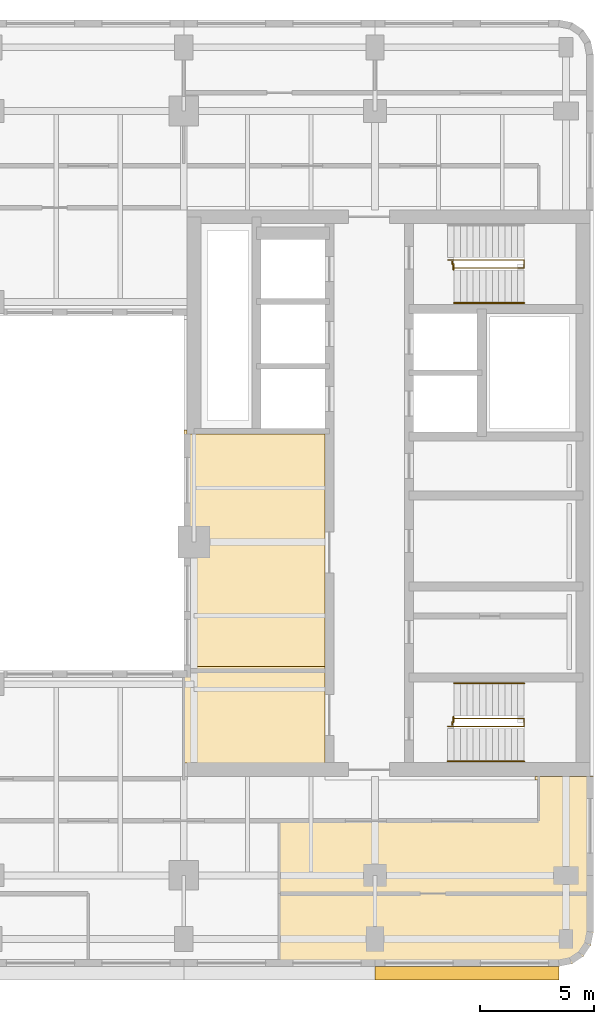
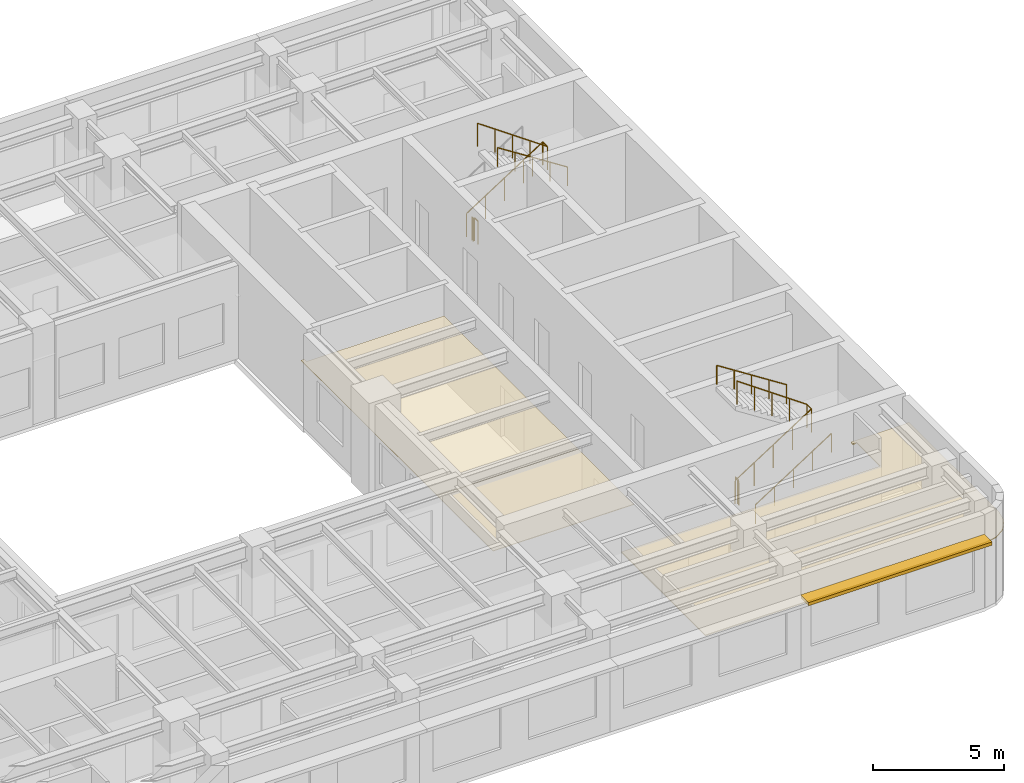
# One storey, part 10 of 11: 7 railings, 4 coverings, 1 shading device.
"""IFC4 building model written with IfcOpenShell, lengths in metres."""

from ifc_helpers import new_model, si_unit, direction, frame, origin, origin_2d, place, context, subcontext, project, spatial, polyline, rectangle, circle, outline, extrude, material, layer, layer_set, type_object, element, save


model = new_model("IFC4")

# Units and contexts
model_context = context("Model", 3, precision=1e-05, world=origin(), true_north=direction((0.0, 1.0)))
body_context = subcontext(model_context, "Body", "Model", "MODEL_VIEW")
ifc_project = project(units=[si_unit("LENGTHUNIT", "METRE"), si_unit("AREAUNIT", "SQUARE_METRE"), si_unit("VOLUMEUNIT", "CUBIC_METRE"), si_unit("PLANEANGLEUNIT", "RADIAN"), si_unit("MASSUNIT", "GRAM", prefix="KILO")], contexts=[model_context])

# Site, building, storey
site_placement = place(None, origin())
site = spatial("IfcSite", under=ifc_project, at=site_placement, CompositionType="ELEMENT")
building_placement = place(site_placement, origin())
building = spatial("IfcBuilding", under=site, at=building_placement, Name="Claustro Exchange Tower", CompositionType="ELEMENT")
storey_placement = place(building_placement, frame((0.0, 0.0, 268.199951171875)))
storey = spatial("IfcBuildingStorey", under=building, at=storey_placement, Name="L61", CompositionType="ELEMENT", Elevation=268.199951171875)

# Coverings
ifc_material_1 = material(Name="Gypsum board ceiling", Category="gypsum board")
ifc_layer_1 = layer(ifc_material_1, 0.02490234375)
ifc_layer_set_1 = layer_set([ifc_layer_1], Name="Gypsum board ceiling")
covering_type_1 = type_object("IfcCoveringType", Name="CL2 plasterboard ceiling", PredefinedType="CEILING", material=ifc_layer_set_1)
covering_1_placement = place(storey_placement, frame((0.0, 0.0, 3.0)))
element("IfcCovering", 1, at=covering_1_placement, inside=storey, type_object=covering_type_1, Name="Ceiling CL2 L61-11", PredefinedType="CEILING", context=body_context, shape_type="SweptSolid", body=[
    extrude(outline(polyline([(33.60009765625, 17.570068359375), (33.60009765625, 13.330078125), (39.800048828125, 13.330078125), (39.800048828125, 17.570068359375), (33.60009765625, 17.570068359375)])), origin(), (0.0, 0.0, 1.0), 0.025146484375),
])
covering_2_placement = place(storey_placement, frame((0.0, 0.0, 3.0)))
element("IfcCovering", 2, at=covering_2_placement, inside=storey, type_object=covering_type_1, Name="Ceiling CL2 L61-13", PredefinedType="CEILING", context=body_context, shape_type="SweptSolid", body=[
    extrude(outline(polyline([(33.60009765625, 27.969970703125), (33.60009765625, 17.22998046875), (39.800048828125, 17.22998046875), (39.800048828125, 27.800048828125), (33.75, 27.800048828125), (33.75, 27.969970703125), (33.60009765625, 27.969970703125)])), origin(), (0.0, 0.0, 1.0), 0.025146484375),
])
ifc_material_2 = material(Name="Oak slats on acoustic backing", Category="wood")
ifc_layer_2 = layer(ifc_material_2, 0.050048828125)
ifc_layer_set_2 = layer_set([ifc_layer_2], Name="Oak slats on acoustic backing")
covering_type_2 = type_object("IfcCoveringType", Name="CL3 timber slat ceiling", PredefinedType="CEILING", material=ifc_layer_set_2)
covering_3_placement = place(storey_placement, frame((0.0, 0.0, 3.0)))
element("IfcCovering", 3, at=covering_3_placement, inside=storey, type_object=covering_type_2, Name="Ceiling CL3 L61-03", PredefinedType="CEILING", context=body_context, shape_type="SweptSolid", body=[
    extrude(outline(polyline([(51.60009765625, 5.89990234375), (51.60009765625, 7.60009765625), (37.800048828125, 7.60009765625), (37.800048828125, 4.39990234375), (50.10009765625, 4.39990234375), (50.674072265625, 4.51416015625), (51.16064453125, 4.83935546875), (51.48583984375, 5.325927734375), (51.60009765625, 5.89990234375)])), origin(), (0.0, 0.0, 1.0), 0.050048828125),
])
covering_4_placement = place(storey_placement, frame((0.0, 0.0, 3.0)))
element("IfcCovering", 4, at=covering_4_placement, inside=storey, type_object=covering_type_2, Name="Ceiling CL3 L61-07", PredefinedType="CEILING", context=body_context, shape_type="SweptSolid", body=[
    extrude(outline(polyline([(51.60009765625, 7.60009765625), (51.60009765625, 12.77001953125), (51.449951171875, 12.77001953125), (51.449951171875, 12.75), (49.030029296875, 12.75), (49.030029296875, 12.60009765625), (49.199951171875, 12.60009765625), (49.199951171875, 10.800048828125), (37.800048828125, 10.800048828125), (37.800048828125, 7.60009765625), (51.60009765625, 7.60009765625)])), origin(), (0.0, 0.0, 1.0), 0.050048828125),
])

# Railings
ifc_material_3 = material(Name="Steel balustrade, painted", Category="steel")
railing_type_1 = type_object("IfcRailingType", Name="GR2 1100 steel stair guard", PredefinedType="GUARDRAIL", material=ifc_material_3)
railing_1_placement = place(storey_placement, frame((45.199951171875, 14.949951171875, 0.179931640625)))
element("IfcRailing", 5, at=railing_1_placement, inside=storey, type_object=railing_type_1, Name="Stair well guard GR2 stair STEA L61", PredefinedType="GUARDRAIL", context=body_context, shape_type="SweptSolid", body=[
    extrude(circle(Radius=0.02392578125, at=origin_2d()), frame((0.0, 0.0, 1.076171875), z_axis=(0.8411685463, 0.0, 0.540773036232), x_axis=(0.0, 1.0, 0.0)), (0.0, 0.0, 1.0), 3.99462890625),
    extrude(circle(Radius=0.02392578125, at=origin_2d()), frame((3.360107421875, 0.0, 3.236328125), z_axis=(0.0, 1.0, 0.0), x_axis=(-1.0, 0.0, 0.0)), (0.0, 0.0, 1.0), 0.35009765625),
    extrude(circle(Radius=0.02392578125, at=origin_2d()), frame((3.360107421875, 0.35009765625, 3.236328125), z_axis=(-0.8187499073, 0.0, 0.574150319426), x_axis=(0.0, -1.0, 0.0)), (0.0, 0.0, 1.0), 3.761962890625),
    extrude(circle(Radius=0.02099609375, at=origin_2d()), origin(), (0.0, 0.0, 1.0), 1.052001953125),
    extrude(circle(Radius=0.02099609375, at=origin_2d()), frame((0.840087890625, 0.0, 0.5400390625)), (0.0, 0.0, 1.0), 1.052001953125),
    extrude(circle(Radius=0.02099609375, at=origin_2d()), frame((1.68017578125, 0.0, 1.080078125)), (0.0, 0.0, 1.0), 1.052001953125),
    extrude(circle(Radius=0.02099609375, at=origin_2d()), frame((2.52001953125, 0.0, 1.6201171875)), (0.0, 0.0, 1.0), 1.052001953125),
    extrude(circle(Radius=0.02099609375, at=origin_2d()), frame((3.360107421875, 0.0, 2.16015625)), (0.0, 0.0, 1.0), 1.052001953125),
    extrude(circle(Radius=0.02099609375, at=origin_2d()), frame((3.360107421875, 0.35009765625, 2.16015625)), (0.0, 0.0, 1.0), 1.052001953125),
    extrude(circle(Radius=0.02099609375, at=origin_2d()), frame((2.590087890625, 0.35009765625, 2.7001953125)), (0.0, 0.0, 1.0), 1.052001953125),
    extrude(circle(Radius=0.02099609375, at=origin_2d()), frame((1.820068359375, 0.35009765625, 3.240234375)), (0.0, 0.0, 1.0), 1.052001953125),
    extrude(circle(Radius=0.02099609375, at=origin_2d()), frame((1.050048828125, 0.35009765625, 3.780029296875)), (0.0, 0.0, 1.0), 1.052001953125),
    extrude(circle(Radius=0.02099609375, at=origin_2d()), frame((0.280029296875, 0.35009765625, 4.320068359375)), (0.0, 0.0, 1.0), 1.052001953125),
])
railing_2_placement = place(storey_placement, frame((45.39990234375, 15.02001953125, 0.0)))
element("IfcRailing", 6, at=railing_2_placement, inside=storey, type_object=railing_type_1, Name="Stair guard GR2 STEA L61", PredefinedType="GUARDRAIL", context=body_context, shape_type="SweptSolid", body=[
    extrude(circle(Radius=0.02392578125, at=origin_2d()), frame((0.0, 0.0, 1.076171875), z_axis=(0.0, 1.0, 0.0), x_axis=(-1.0, 0.0, 0.0)), (0.0, 0.0, 1.0), 0.10498046875),
    extrude(circle(Radius=0.02392578125, at=origin_2d()), frame((0.0, 0.10498046875, 1.076171875), z_axis=(1.0, 0.0, 0.0), x_axis=(0.0, 1.0, 0.0)), (0.0, 0.0, 1.0), 0.05517578125),
    extrude(circle(Radius=0.02392578125, at=origin_2d()), frame((0.05517578125, 0.10498046875, 1.076171875), z_axis=(0.0, 1.0, 0.0), x_axis=(-1.0, 0.0, 0.0)), (0.0, 0.0, 1.0), 0.2548828125),
    extrude(circle(Radius=0.02099609375, at=origin_2d()), origin(), (0.0, 0.0, 1.0), 1.052001953125),
    extrude(circle(Radius=0.02099609375, at=origin_2d()), frame((0.0, 0.10498046875, 0.0)), (0.0, 0.0, 1.0), 1.052001953125),
    extrude(circle(Radius=0.02099609375, at=origin_2d()), frame((0.05517578125, 0.10498046875, 0.0)), (0.0, 0.0, 1.0), 1.052001953125),
    extrude(circle(Radius=0.02099609375, at=origin_2d()), frame((0.05517578125, 0.35986328125, 0.0)), (0.0, 0.0, 1.0), 1.052001953125),
])
railing_3_placement = place(storey_placement, frame((45.199951171875, 35.449951171875, 0.179931640625)))
element("IfcRailing", 7, at=railing_3_placement, inside=storey, type_object=railing_type_1, Name="Stair well guard GR2 stair STEB L61", PredefinedType="GUARDRAIL", context=body_context, shape_type="SweptSolid", body=[
    extrude(circle(Radius=0.02392578125, at=origin_2d()), frame((0.0, 0.0, 1.076171875), z_axis=(0.8411685463, 0.0, 0.540773036232), x_axis=(0.0, 1.0, 0.0)), (0.0, 0.0, 1.0), 3.99462890625),
    extrude(circle(Radius=0.02392578125, at=origin_2d()), frame((3.360107421875, 0.0, 3.236328125), z_axis=(0.0, -1.0, 0.0), x_axis=(1.0, 0.0, 0.0)), (0.0, 0.0, 1.0), 0.349853515625),
    extrude(circle(Radius=0.02392578125, at=origin_2d()), frame((3.360107421875, -0.349853515625, 3.236328125), z_axis=(-0.8187499073, 0.0, 0.574150319426), x_axis=(0.0, -1.0, 0.0)), (0.0, 0.0, 1.0), 3.761962890625),
    extrude(circle(Radius=0.02099609375, at=origin_2d()), origin(), (0.0, 0.0, 1.0), 1.052001953125),
    extrude(circle(Radius=0.02099609375, at=origin_2d()), frame((0.840087890625, 0.0, 0.5400390625)), (0.0, 0.0, 1.0), 1.052001953125),
    extrude(circle(Radius=0.02099609375, at=origin_2d()), frame((1.68017578125, 0.0, 1.080078125)), (0.0, 0.0, 1.0), 1.052001953125),
    extrude(circle(Radius=0.02099609375, at=origin_2d()), frame((2.52001953125, 0.0, 1.6201171875)), (0.0, 0.0, 1.0), 1.052001953125),
    extrude(circle(Radius=0.02099609375, at=origin_2d()), frame((3.360107421875, 0.0, 2.16015625)), (0.0, 0.0, 1.0), 1.052001953125),
    extrude(circle(Radius=0.02099609375, at=origin_2d()), frame((3.360107421875, -0.349853515625, 2.16015625)), (0.0, 0.0, 1.0), 1.052001953125),
    extrude(circle(Radius=0.02099609375, at=origin_2d()), frame((2.590087890625, -0.349853515625, 2.7001953125)), (0.0, 0.0, 1.0), 1.052001953125),
    extrude(circle(Radius=0.02099609375, at=origin_2d()), frame((1.820068359375, -0.349853515625, 3.240234375)), (0.0, 0.0, 1.0), 1.052001953125),
    extrude(circle(Radius=0.02099609375, at=origin_2d()), frame((1.050048828125, -0.349853515625, 3.780029296875)), (0.0, 0.0, 1.0), 1.052001953125),
    extrude(circle(Radius=0.02099609375, at=origin_2d()), frame((0.280029296875, -0.349853515625, 4.320068359375)), (0.0, 0.0, 1.0), 1.052001953125),
])
railing_4_placement = place(storey_placement, frame((45.39990234375, 35.3798828125, 0.0)))
element("IfcRailing", 8, at=railing_4_placement, inside=storey, type_object=railing_type_1, Name="Stair guard GR2 STEB L61", PredefinedType="GUARDRAIL", context=body_context, shape_type="SweptSolid", body=[
    extrude(circle(Radius=0.02392578125, at=origin_2d()), frame((0.0, 0.0, 1.076171875), z_axis=(0.0, -1.0, 0.0), x_axis=(1.0, 0.0, 0.0)), (0.0, 0.0, 1.0), 0.10498046875),
    extrude(circle(Radius=0.02392578125, at=origin_2d()), frame((0.0, -0.10498046875, 1.076171875), z_axis=(1.0, 0.0, 0.0), x_axis=(0.0, 1.0, 0.0)), (0.0, 0.0, 1.0), 0.05517578125),
    extrude(circle(Radius=0.02392578125, at=origin_2d()), frame((0.05517578125, -0.10498046875, 1.076171875), z_axis=(0.0, -1.0, 0.0), x_axis=(1.0, 0.0, 0.0)), (0.0, 0.0, 1.0), 0.2548828125),
    extrude(circle(Radius=0.02099609375, at=origin_2d()), origin(), (0.0, 0.0, 1.0), 1.052001953125),
    extrude(circle(Radius=0.02099609375, at=origin_2d()), frame((0.0, -0.10498046875, 0.0)), (0.0, 0.0, 1.0), 1.052001953125),
    extrude(circle(Radius=0.02099609375, at=origin_2d()), frame((0.05517578125, -0.10498046875, 0.0)), (0.0, 0.0, 1.0), 1.052001953125),
    extrude(circle(Radius=0.02099609375, at=origin_2d()), frame((0.05517578125, -0.35986328125, 0.0)), (0.0, 0.0, 1.0), 1.052001953125),
])
ifc_material_4 = material(Name="Stainless steel tube", Category="steel")
railing_type_2 = type_object("IfcRailingType", Name="HR1 900 stair handrail", PredefinedType="HANDRAIL", material=ifc_material_4)
railing_5_placement = place(storey_placement, frame((45.199951171875, 13.409912109375, 0.179931640625)))
element("IfcRailing", 9, at=railing_5_placement, inside=storey, type_object=railing_type_2, Name="Handrail HR1 stair STEA L61", PredefinedType="HANDRAIL", context=body_context, shape_type="SweptSolid", body=[
    extrude(circle(Radius=0.02392578125, at=origin_2d()), frame((0.0, 0.0, 0.8759765625), z_axis=(0.8411685463, 0.0, 0.540773036232), x_axis=(0.0, 1.0, 0.0)), (0.0, 0.0, 1.0), 3.99462890625),
    extrude(circle(Radius=0.02099609375, at=origin_2d()), origin(), (0.0, 0.0, 1.0), 0.851806640625),
    extrude(circle(Radius=0.02099609375, at=origin_2d()), frame((0.840087890625, 0.0, 0.5400390625)), (0.0, 0.0, 1.0), 0.851806640625),
    extrude(circle(Radius=0.02099609375, at=origin_2d()), frame((1.68017578125, 0.0, 1.080078125)), (0.0, 0.0, 1.0), 0.851806640625),
    extrude(circle(Radius=0.02099609375, at=origin_2d()), frame((2.52001953125, 0.0, 1.6201171875)), (0.0, 0.0, 1.0), 0.851806640625),
    extrude(circle(Radius=0.02099609375, at=origin_2d()), frame((3.360107421875, 0.0, 2.16015625)), (0.0, 0.0, 1.0), 0.851806640625),
])
for number, where, name in (
    (10, (48.56005859375, 16.840087890625, 2.52001953125), "Handrail HR1 stair STEA L61"),
    (11, (48.56005859375, 33.56005859375, 2.52001953125), "Handrail HR1 stair STEB L61"),
):
    element("IfcRailing", number, at=place(storey_placement, frame(where)), inside=storey, type_object=railing_type_2, Name=name, PredefinedType="HANDRAIL", context=body_context, shape_type="SweptSolid", body=[
        extrude(circle(Radius=0.02392578125, at=origin_2d()), frame((0.0, 0.0, 0.8759765625), z_axis=(-0.84118714077, 0.0, 0.540744111576), x_axis=(0.0, -1.0, 0.0)), (0.0, 0.0, 1.0), 3.66162109375),
        extrude(circle(Radius=0.02099609375, at=origin_2d()), origin(), (0.0, 0.0, 1.0), 0.851806640625),
        extrude(circle(Radius=0.02099609375, at=origin_2d()), frame((-0.77001953125, 0.0, 0.4951171875)), (0.0, 0.0, 1.0), 0.851806640625),
        extrude(circle(Radius=0.02099609375, at=origin_2d()), frame((-1.5400390625, 0.0, 0.989990234375)), (0.0, 0.0, 1.0), 0.851806640625),
        extrude(circle(Radius=0.02099609375, at=origin_2d()), frame((-2.31005859375, 0.0, 1.48486328125)), (0.0, 0.0, 1.0), 0.851806640625),
        extrude(circle(Radius=0.02099609375, at=origin_2d()), frame((-3.080078125, 0.0, 1.97998046875)), (0.0, 0.0, 1.0), 0.851806640625),
    ])

# Shading device
ifc_material_5 = material(Name="Concrete HA-40 (C40/50), precast, white cement, acid-etched", Category="concrete")
ifc_layer_3 = layer(ifc_material_5, 0.14990234375)
ifc_layer_set_3 = layer_set([ifc_layer_3], Name="Concrete HA-40 (C40/50), precast, white cement, acid-etched")
shading_device_type = type_object("IfcShadingDeviceType", Name="SS1 600 precast concrete SUNSHADE", PredefinedType="SHUTTER", material=ifc_layer_set_3)
shading_device_placement = place(storey_placement, frame((46.04248046875, 4.10009765625, 3.300048828125), z_axis=(0.0, 0.0, 1.0), x_axis=(-1.0, 0.0, 0.0)))
element("IfcShadingDevice", 12, at=shading_device_placement, inside=storey, type_object=shading_device_type, Name="Precast SUNSHADE SS1 L61", PredefinedType="SHUTTER", context=body_context, shape_type="SweptSolid", body=[
    extrude(rectangle(XDim=8.085205078125, YDim=0.60009765625, at=origin_2d()), origin(), (0.0, 0.0, 1.0), 0.14990234375),
])

save(model, "model.ifc")
